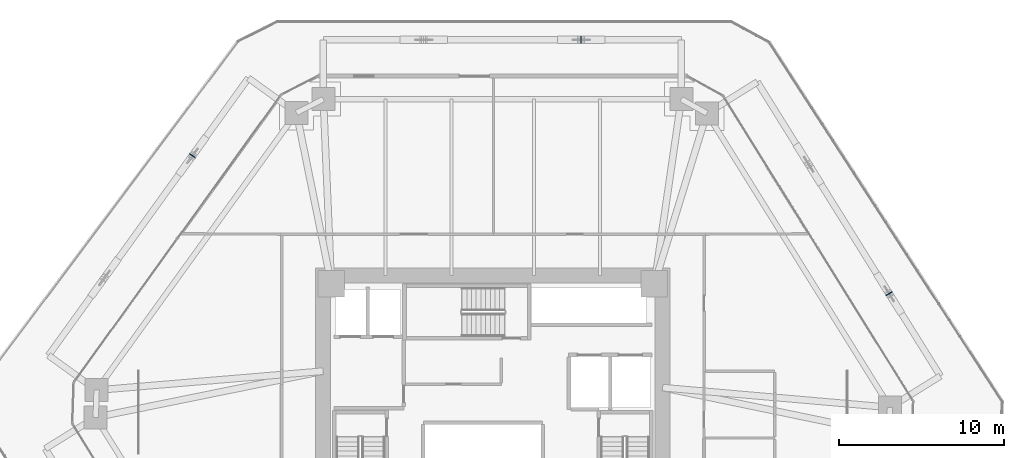
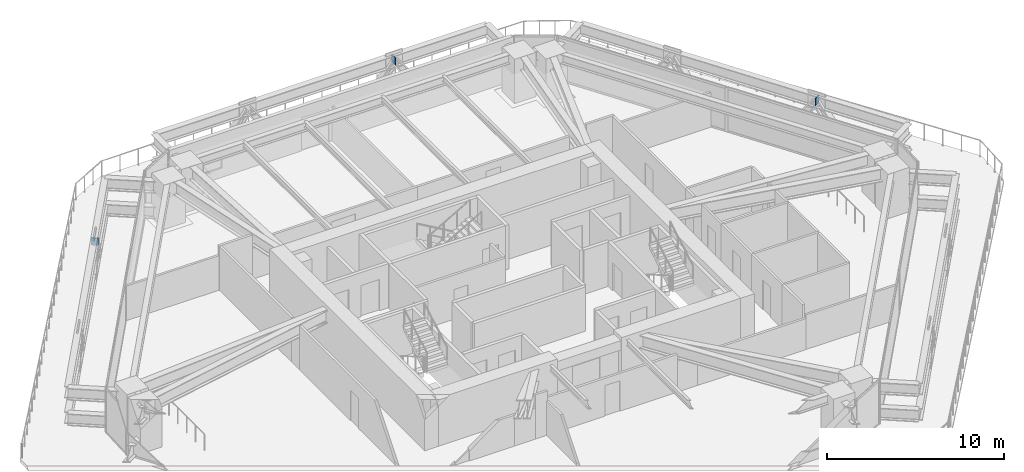
# One storey, part 12 of 20: 3 plates.
"""IFC4 building model written with IfcOpenShell, lengths in metres."""

from ifc_helpers import new_model, si_unit, direction, frame, origin, origin_2d, place, context, subcontext, project, spatial, rectangle, extrude, source, transform, mapped, material, layer, layer_set, type_object, type_shapes, element, save


model = new_model("IFC4")

# Units and contexts
model_context = context("Model", 3, precision=1e-05, world=origin(), true_north=direction((0.0, 1.0)))
body_context = subcontext(model_context, "Body", "Model", "MODEL_VIEW")
ifc_project = project(units=[si_unit("LENGTHUNIT", "METRE"), si_unit("AREAUNIT", "SQUARE_METRE"), si_unit("VOLUMEUNIT", "CUBIC_METRE"), si_unit("PLANEANGLEUNIT", "RADIAN"), si_unit("MASSUNIT", "GRAM", prefix="KILO")], contexts=[model_context])

# Site, building, storey
site_placement = place(None, origin())
site = spatial("IfcSite", under=ifc_project, at=site_placement, CompositionType="ELEMENT")
building_placement = place(site_placement, origin())
building = spatial("IfcBuilding", under=site, at=building_placement, Name="Durnholm Broadcast Tower", CompositionType="ELEMENT")
storey_placement = place(building_placement, frame((0.0, 0.0, 32.39990234375)))
storey = spatial("IfcBuildingStorey", under=building, at=storey_placement, Name="L06", CompositionType="ELEMENT", Elevation=32.39990234375)

# Plates
ifc_material = material(Name="Steel ASTM A572 Grade 50", Category="steel")
ifc_layer = layer(ifc_material, 0.044921875)
ifc_layer_set = layer_set([ifc_layer], Name="Steel ASTM A572 Grade 50")
plate_type = type_object("IfcPlateType", Name="PLT-KN-STIF", PredefinedType="SHEET", material=ifc_layer_set)
shared_shape = source(origin(), body_context, "Body", "SweptSolid", [
    extrude(rectangle(XDim=0.044921875, YDim=0.419921875, at=origin_2d()), origin(), (0.0, 0.0, 1.0), 0.52001953125),
])
type_shapes(plate_type, [shared_shape])
for number, where, z_axis, x_axis, name in (
    (1, (24.036376953125, 7.197509765625, 2.048583984375), (0.0, 0.0, 1.0), (-0.528586500185, 0.848879444811, 0.0), "L06 welded diagrid node stiffener plate F3"),
    (2, (5.351318359375, 22.60009765625, 2.048583984375), (0.0, 0.0, 1.0), (-1.0, 0.0, 0.0), "L06 welded diagrid node stiffener plate F4"),
    (3, (-18.223388671875, 15.56396484375, 2.048583984375), (0.0, 0.0, 1.0), (-0.584816108738, -0.81116590101, 0.0), "L06 welded diagrid node stiffener plate F5"),
):
    element("IfcPlate", number, at=place(storey_placement, frame(where, z_axis=z_axis, x_axis=x_axis)), inside=storey, type_object=plate_type, Name=name, PredefinedType="SHEET", context=body_context, shape_type="MappedRepresentation", body=[
        mapped(shared_shape, transform((0.0, 0.0, 0.0), x_axis=(1.0, 0.0, 0.0), y_axis=(0.0, 1.0, 0.0), z_axis=(0.0, 0.0, 1.0), scale=1.0)),
    ])

save(model, "model.ifc")
